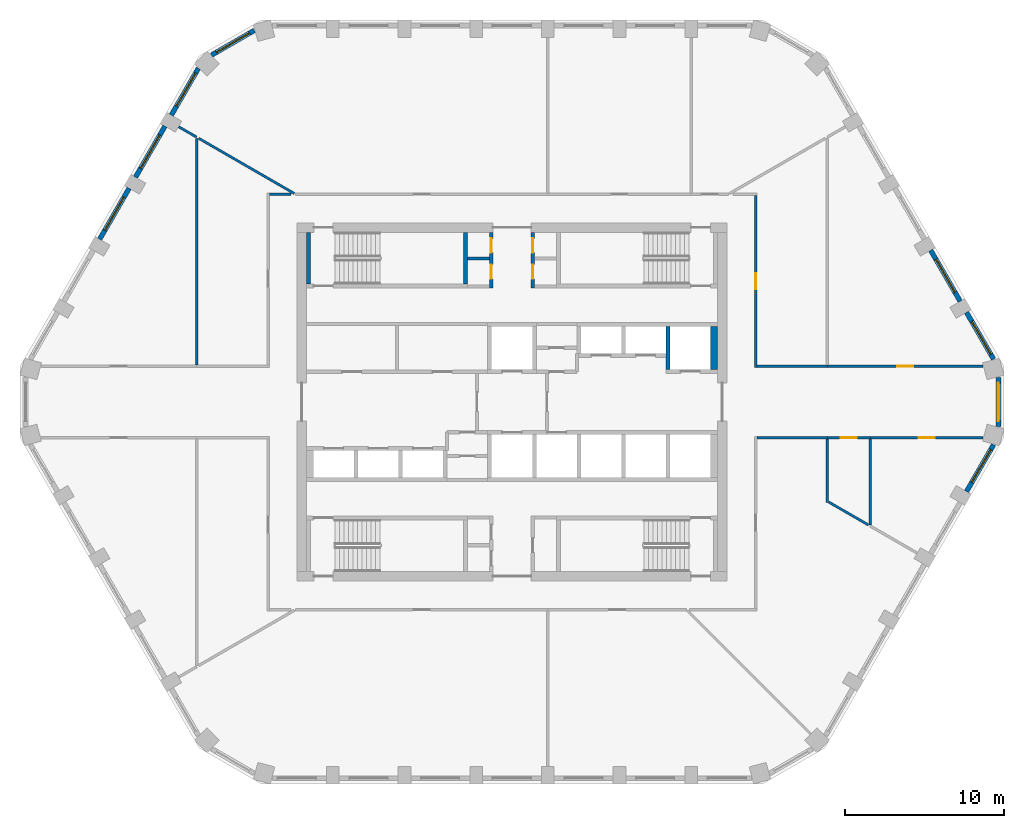
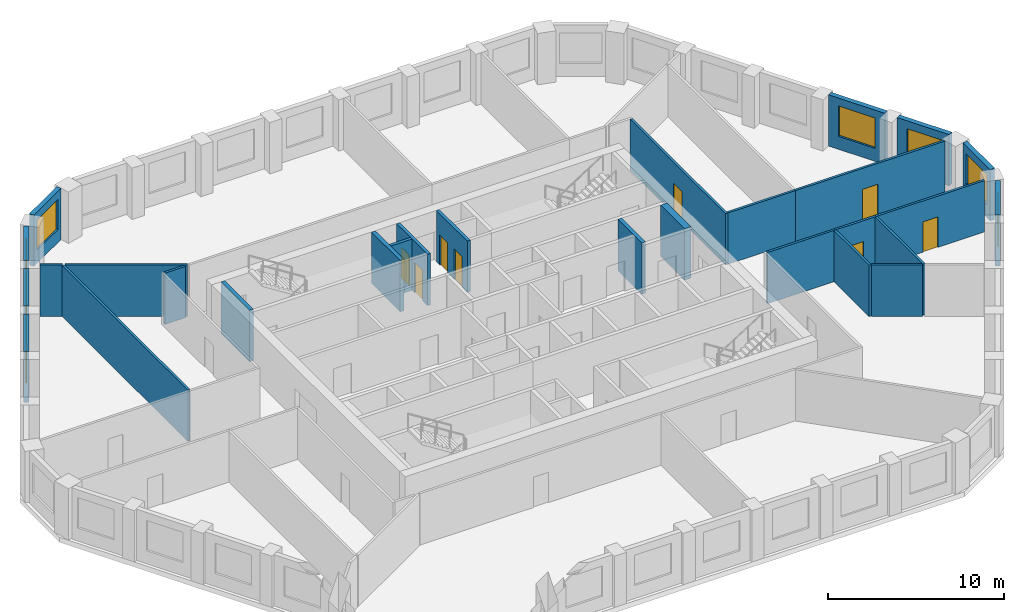
# One storey, part 5 of 8: 28 walls, 8 doors, 8 windows, 16 openings.
"""IFC4 building model written with IfcOpenShell, lengths in metres."""

from ifc_helpers import new_model, si_unit, direction, frame, frame_2d, origin, place, context, subcontext, project, spatial, polyline, rectangle, outline, extrude, material, layer, layer_set, type_object, element, fill, save


model = new_model("IFC4")

# Units and contexts
model_context = context("Model", 3, precision=1e-05, world=origin(), true_north=direction((0.0, 1.0)))
body_context = subcontext(model_context, "Body", "Model", "MODEL_VIEW")
ifc_project = project(units=[si_unit("LENGTHUNIT", "METRE"), si_unit("AREAUNIT", "SQUARE_METRE"), si_unit("VOLUMEUNIT", "CUBIC_METRE"), si_unit("PLANEANGLEUNIT", "RADIAN"), si_unit("MASSUNIT", "GRAM", prefix="KILO")], contexts=[model_context])

# Site, building, storey
site_placement = place(None, origin())
site = spatial("IfcSite", under=ifc_project, at=site_placement, CompositionType="ELEMENT")
building_placement = place(site_placement, origin())
building = spatial("IfcBuilding", under=site, at=building_placement, Name="Dhurran Vertical Campus", CompositionType="ELEMENT")
storey_placement = place(building_placement, frame((0.0, 0.0, 219.0)))
storey = spatial("IfcBuildingStorey", under=building, at=storey_placement, Name="L54", CompositionType="ELEMENT", Elevation=219.0)

# Wall, opening, window
ifc_material_1 = material(Name="Precast concrete C50/60", Category="concrete")
ifc_layer_1 = layer(ifc_material_1, 0.300048828125)
ifc_layer_set_1 = layer_set([ifc_layer_1], Name="Precast concrete C50/60")
wall_type_1 = type_object("IfcWallType", Name="Precast spandrel wall 300", PredefinedType="SOLIDWALL", material=ifc_layer_set_1)
wall_1_placement = place(storey_placement, frame((28.544189453125, -5.625244140625, 0.0), z_axis=(0.0, 0.0, 1.0), x_axis=(0.500012868213, 0.866017974191, 0.0)))
wall_1 = element("IfcWall", 1, at=wall_1_placement, inside=storey, type_object=wall_type_1, Name="EW1 L54.12", PredefinedType="SOLIDWALL", context=body_context, shape_type="SweptSolid", body=[
    extrude(rectangle(XDim=3.39599609375, YDim=0.300048828125, at=frame_2d((1.697998046875, 0.0))), origin(), (0.0, 0.0, 1.0), 3.550048828125),
])
opening_1_placement = place(wall_1_placement, frame((0.6494140625, 0.0, 0.89990234375)))
opening_1 = element("IfcOpeningElement", 2, at=opening_1_placement, cuts=wall_1, Name="Opening WT1", PredefinedType="OPENING", context=body_context, shape_type="SweptSolid", body=[
    extrude(rectangle(XDim=2.39990234375, YDim=2.10009765625, at=frame_2d((1.199951171875, 1.050048828125))), frame((0.0, 0.159912109375, 0.0), z_axis=(0.0, -1.0, 0.0), x_axis=(1.0, 0.0, 0.0)), (0.0, 0.0, 1.0), 0.320068359375),
])
ifc_material_2 = material(Name="Aluminium frame with solar-control glass", Category="aluminium")
window_type = type_object("IfcWindowType", Name="Punched window 2400 x 2100", PartitioningType="SINGLE_PANEL", PredefinedType="WINDOW", material=ifc_material_2)
window_1_placement = place(opening_1_placement, origin())
window_1 = element("IfcWindow", 3, at=window_1_placement, inside=storey, type_object=window_type, Name="WT1 L54.12", OverallHeight=2.10009765625, OverallWidth=2.39990234375, PartitioningType="SINGLE_PANEL", PredefinedType="WINDOW", context=body_context, shape_type="SweptSolid", body=[
    extrude(rectangle(XDim=2.39990234375, YDim=2.10009765625, at=frame_2d((1.199951171875, 1.050048828125))), frame((0.0, 0.030029296875, 0.0), z_axis=(0.0, -1.0, 0.0), x_axis=(1.0, 0.0, 0.0)), (0.0, 0.0, 1.0), 0.06005859375),
])
fill(opening_1, window_1)

wall_2_placement = place(storey_placement, frame((30.547119140625, -1.54638671875, 0.0), z_axis=(0.0, 0.0, 1.0), x_axis=(0.0, 1.0, 0.0)))
wall_2 = element("IfcWall", 4, at=wall_2_placement, inside=storey, type_object=wall_type_1, Name="EW1 L54.13", PredefinedType="SOLIDWALL", context=body_context, shape_type="SweptSolid", body=[
    extrude(rectangle(XDim=3.0927734375, YDim=0.300048828125, at=frame_2d((1.54638671875, 0.0))), origin(), (0.0, 0.0, 1.0), 3.550048828125),
])
opening_2_placement = place(wall_2_placement, frame((0.34619140625, 0.0, 0.89990234375)))
opening_2 = element("IfcOpeningElement", 5, at=opening_2_placement, cuts=wall_2, Name="Opening WT1", PredefinedType="OPENING", context=body_context, shape_type="SweptSolid", body=[
    extrude(rectangle(XDim=2.39990234375, YDim=2.10009765625, at=frame_2d((1.199951171875, 1.050048828125))), frame((0.0, 0.159912109375, 0.0), z_axis=(0.0, -1.0, 0.0), x_axis=(1.0, 0.0, 0.0)), (0.0, 0.0, 1.0), 0.320068359375),
])
window_2_placement = place(opening_2_placement, origin())
window_2 = element("IfcWindow", 6, at=window_2_placement, inside=storey, type_object=window_type, Name="WT1 L54.13", OverallHeight=2.10009765625, OverallWidth=2.39990234375, PartitioningType="SINGLE_PANEL", PredefinedType="WINDOW", context=body_context, shape_type="SweptSolid", body=[
    extrude(rectangle(XDim=2.39990234375, YDim=2.10009765625, at=frame_2d((1.199951171875, 1.050048828125))), frame((0.0, 0.030029296875, 0.0), z_axis=(0.0, -1.0, 0.0), x_axis=(1.0, 0.0, 0.0)), (0.0, 0.0, 1.0), 0.06005859375),
])
fill(opening_2, window_2)

wall_3_placement = place(storey_placement, frame((30.2421875, 2.684326171875, 0.0), z_axis=(0.0, 0.0, 1.0), x_axis=(-0.500012868213, 0.866017974191, 0.0)))
wall_3 = element("IfcWall", 7, at=wall_3_placement, inside=storey, type_object=wall_type_1, Name="EW1 L54.14", PredefinedType="SOLIDWALL", context=body_context, shape_type="SweptSolid", body=[
    extrude(rectangle(XDim=3.39599609375, YDim=0.300048828125, at=frame_2d((1.697998046875, 0.0))), origin(), (0.0, 0.0, 1.0), 3.550048828125),
])
opening_3_placement = place(wall_3_placement, frame((0.346435546875, 0.0, 0.89990234375)))
opening_3 = element("IfcOpeningElement", 8, at=opening_3_placement, cuts=wall_3, Name="Opening WT1", PredefinedType="OPENING", context=body_context, shape_type="SweptSolid", body=[
    extrude(rectangle(XDim=2.39990234375, YDim=2.10009765625, at=frame_2d((1.199951171875, 1.050048828125))), frame((0.0, 0.159912109375, 0.0), z_axis=(0.0, -1.0, 0.0), x_axis=(1.0, 0.0, 0.0)), (0.0, 0.0, 1.0), 0.320068359375),
])
window_3_placement = place(opening_3_placement, origin())
window_3 = element("IfcWindow", 9, at=window_3_placement, inside=storey, type_object=window_type, Name="WT1 L54.14", OverallHeight=2.10009765625, OverallWidth=2.39990234375, PartitioningType="SINGLE_PANEL", PredefinedType="WINDOW", context=body_context, shape_type="SweptSolid", body=[
    extrude(rectangle(XDim=2.39990234375, YDim=2.10009765625, at=frame_2d((1.199951171875, 1.050048828125))), frame((0.0, 0.030029296875, 0.0), z_axis=(0.0, -1.0, 0.0), x_axis=(1.0, 0.0, 0.0)), (0.0, 0.0, 1.0), 0.06005859375),
])
fill(opening_3, window_3)

wall_4_placement = place(storey_placement, frame((28.143798828125, 6.319091796875, 0.0), z_axis=(0.0, 0.0, 1.0), x_axis=(-0.500029062817, 0.866008623709, 0.0)))
wall_4 = element("IfcWall", 10, at=wall_4_placement, inside=storey, type_object=wall_type_1, Name="EW1 L54.15", PredefinedType="SOLIDWALL", context=body_context, shape_type="SweptSolid", body=[
    extrude(rectangle(XDim=3.698974609375, YDim=0.300048828125, at=frame_2d((1.849609375, 0.0))), origin(), (0.0, 0.0, 1.0), 3.550048828125),
])
opening_4_placement = place(wall_4_placement, frame((0.6494140625, 0.0, 0.89990234375)))
opening_4 = element("IfcOpeningElement", 11, at=opening_4_placement, cuts=wall_4, Name="Opening WT1", PredefinedType="OPENING", context=body_context, shape_type="SweptSolid", body=[
    extrude(rectangle(XDim=2.39990234375, YDim=2.10009765625, at=frame_2d((1.199951171875, 1.050048828125))), frame((0.0, 0.159912109375, 0.0), z_axis=(0.0, -1.0, 0.0), x_axis=(1.0, 0.0, 0.0)), (0.0, 0.0, 1.0), 0.320068359375),
])
window_4_placement = place(opening_4_placement, origin())
window_4 = element("IfcWindow", 12, at=window_4_placement, inside=storey, type_object=window_type, Name="WT1 L54.15", OverallHeight=2.10009765625, OverallWidth=2.39990234375, PartitioningType="SINGLE_PANEL", PredefinedType="WINDOW", context=body_context, shape_type="SweptSolid", body=[
    extrude(rectangle(XDim=2.39990234375, YDim=2.10009765625, at=frame_2d((1.199951171875, 1.050048828125))), frame((0.0, 0.030029296875, 0.0), z_axis=(0.0, -1.0, 0.0), x_axis=(1.0, 0.0, 0.0)), (0.0, 0.0, 1.0), 0.06005859375),
])
fill(opening_4, window_4)

wall_5_placement = place(storey_placement, frame((-16.184326171875, 23.330810546875, 0.0), z_axis=(0.0, 0.0, 1.0), x_axis=(-0.865994975416, -0.500052699777, 0.0)))
wall_5 = element("IfcWall", 13, at=wall_5_placement, inside=storey, type_object=wall_type_1, Name="EW1 L54.27", PredefinedType="SOLIDWALL", context=body_context, shape_type="SweptSolid", body=[
    extrude(rectangle(XDim=3.093017578125, YDim=0.300048828125, at=frame_2d((1.54638671875, 0.0))), origin(), (0.0, 0.0, 1.0), 3.550048828125),
])
opening_5_placement = place(wall_5_placement, frame((0.346435546875, 0.0, 0.89990234375)))
opening_5 = element("IfcOpeningElement", 14, at=opening_5_placement, cuts=wall_5, Name="Opening WT1", PredefinedType="OPENING", context=body_context, shape_type="SweptSolid", body=[
    extrude(rectangle(XDim=2.39990234375, YDim=2.10009765625, at=frame_2d((1.199951171875, 1.050048828125))), frame((0.0, 0.159912109375, 0.0), z_axis=(0.0, -1.0, 0.0), x_axis=(1.0, 0.0, 0.0)), (0.0, 0.0, 1.0), 0.320068359375),
])
window_5_placement = place(opening_5_placement, origin())
window_5 = element("IfcWindow", 15, at=window_5_placement, inside=storey, type_object=window_type, Name="WT1 L54.27", OverallHeight=2.10009765625, OverallWidth=2.39990234375, PartitioningType="SINGLE_PANEL", PredefinedType="WINDOW", context=body_context, shape_type="SweptSolid", body=[
    extrude(rectangle(XDim=2.39990234375, YDim=2.10009765625, at=frame_2d((1.199951171875, 1.050048828125))), frame((0.0, 0.030029296875, 0.0), z_axis=(0.0, -1.0, 0.0), x_axis=(1.0, 0.0, 0.0)), (0.0, 0.0, 1.0), 0.06005859375),
])
fill(opening_5, window_5)

wall_6_placement = place(storey_placement, frame((-19.69580078125, 20.951171875, 0.0), z_axis=(0.0, 0.0, 1.0), x_axis=(-0.500012868213, -0.866017974191, 0.0)))
wall_6 = element("IfcWall", 16, at=wall_6_placement, inside=storey, type_object=wall_type_1, Name="EW1 L54.28", PredefinedType="SOLIDWALL", context=body_context, shape_type="SweptSolid", body=[
    extrude(rectangle(XDim=3.39599609375, YDim=0.300048828125, at=frame_2d((1.697998046875, 0.0))), origin(), (0.0, 0.0, 1.0), 3.550048828125),
])
opening_6_placement = place(wall_6_placement, frame((0.346435546875, 0.0, 0.89990234375)))
opening_6 = element("IfcOpeningElement", 17, at=opening_6_placement, cuts=wall_6, Name="Opening WT1", PredefinedType="OPENING", context=body_context, shape_type="SweptSolid", body=[
    extrude(rectangle(XDim=2.39990234375, YDim=2.10009765625, at=frame_2d((1.199951171875, 1.050048828125))), frame((0.0, 0.159912109375, 0.0), z_axis=(0.0, -1.0, 0.0), x_axis=(1.0, 0.0, 0.0)), (0.0, 0.0, 1.0), 0.320068359375),
])
window_6_placement = place(opening_6_placement, origin())
window_6 = element("IfcWindow", 18, at=window_6_placement, inside=storey, type_object=window_type, Name="WT1 L54.28", OverallHeight=2.10009765625, OverallWidth=2.39990234375, PartitioningType="SINGLE_PANEL", PredefinedType="WINDOW", context=body_context, shape_type="SweptSolid", body=[
    extrude(rectangle(XDim=2.39990234375, YDim=2.10009765625, at=frame_2d((1.199951171875, 1.050048828125))), frame((0.0, 0.030029296875, 0.0), z_axis=(0.0, -1.0, 0.0), x_axis=(1.0, 0.0, 0.0)), (0.0, 0.0, 1.0), 0.06005859375),
])
fill(opening_6, window_6)

wall_7_placement = place(storey_placement, frame((-21.794189453125, 17.316650390625, 0.0), z_axis=(0.0, 0.0, 1.0), x_axis=(-0.500029062817, -0.866008623709, 0.0)))
wall_7 = element("IfcWall", 19, at=wall_7_placement, inside=storey, type_object=wall_type_1, Name="EW1 L54.29", PredefinedType="SOLIDWALL", context=body_context, shape_type="SweptSolid", body=[
    extrude(rectangle(XDim=3.698974609375, YDim=0.300048828125, at=frame_2d((1.849609375, 0.0))), origin(), (0.0, 0.0, 1.0), 3.550048828125),
])
opening_7_placement = place(wall_7_placement, frame((0.6494140625, 0.0, 0.89990234375)))
opening_7 = element("IfcOpeningElement", 20, at=opening_7_placement, cuts=wall_7, Name="Opening WT1", PredefinedType="OPENING", context=body_context, shape_type="SweptSolid", body=[
    extrude(rectangle(XDim=2.39990234375, YDim=2.10009765625, at=frame_2d((1.199951171875, 1.050048828125))), frame((0.0, 0.159912109375, 0.0), z_axis=(0.0, -1.0, 0.0), x_axis=(1.0, 0.0, 0.0)), (0.0, 0.0, 1.0), 0.320068359375),
])
window_7_placement = place(opening_7_placement, origin())
window_7 = element("IfcWindow", 21, at=window_7_placement, inside=storey, type_object=window_type, Name="WT1 L54.29", OverallHeight=2.10009765625, OverallWidth=2.39990234375, PartitioningType="SINGLE_PANEL", PredefinedType="WINDOW", context=body_context, shape_type="SweptSolid", body=[
    extrude(rectangle(XDim=2.39990234375, YDim=2.10009765625, at=frame_2d((1.199951171875, 1.050048828125))), frame((0.0, 0.030029296875, 0.0), z_axis=(0.0, -1.0, 0.0), x_axis=(1.0, 0.0, 0.0)), (0.0, 0.0, 1.0), 0.06005859375),
])
fill(opening_7, window_7)

wall_8_placement = place(storey_placement, frame((-24.044189453125, 13.41943359375, 0.0), z_axis=(0.0, 0.0, 1.0), x_axis=(-0.500029062817, -0.866008623709, 0.0)))
wall_8 = element("IfcWall", 22, at=wall_8_placement, inside=storey, type_object=wall_type_1, Name="EW1 L54.30", PredefinedType="SOLIDWALL", context=body_context, shape_type="SweptSolid", body=[
    extrude(rectangle(XDim=3.698974609375, YDim=0.300048828125, at=frame_2d((1.849609375, 0.0))), origin(), (0.0, 0.0, 1.0), 3.550048828125),
])
opening_8_placement = place(wall_8_placement, frame((0.6494140625, 0.0, 0.89990234375)))
opening_8 = element("IfcOpeningElement", 23, at=opening_8_placement, cuts=wall_8, Name="Opening WT1", PredefinedType="OPENING", context=body_context, shape_type="SweptSolid", body=[
    extrude(rectangle(XDim=2.39990234375, YDim=2.10009765625, at=frame_2d((1.199951171875, 1.050048828125))), frame((0.0, 0.159912109375, 0.0), z_axis=(0.0, -1.0, 0.0), x_axis=(1.0, 0.0, 0.0)), (0.0, 0.0, 1.0), 0.320068359375),
])
window_8_placement = place(opening_8_placement, origin())
window_8 = element("IfcWindow", 24, at=window_8_placement, inside=storey, type_object=window_type, Name="WT1 L54.30", OverallHeight=2.10009765625, OverallWidth=2.39990234375, PartitioningType="SINGLE_PANEL", PredefinedType="WINDOW", context=body_context, shape_type="SweptSolid", body=[
    extrude(rectangle(XDim=2.39990234375, YDim=2.10009765625, at=frame_2d((1.199951171875, 1.050048828125))), frame((0.0, 0.030029296875, 0.0), z_axis=(0.0, -1.0, 0.0), x_axis=(1.0, 0.0, 0.0)), (0.0, 0.0, 1.0), 0.06005859375),
])
fill(opening_8, window_8)

# Wall
ifc_material_3 = material(Name="Fire-rated masonry blockwork", Category="masonry")
ifc_layer_2 = layer(ifc_material_3, 0.199951171875)
ifc_layer_set_2 = layer_set([ifc_layer_2], Name="Fire-rated masonry blockwork")
wall_type_2 = type_object("IfcWallType", Name="co-FIRE-PARTITION-200", PredefinedType="PARTITIONING", material=ifc_layer_set_2)
wall_9_placement = place(storey_placement, frame((-2.800048828125, 9.0, 0.0), z_axis=(0.0, 0.0, 1.0), x_axis=(1.0, 0.0, 0.0)))
element("IfcWall", 25, at=wall_9_placement, inside=storey, type_object=wall_type_2, Name="Core partition sl-NW-cut0 L54", PredefinedType="PARTITIONING", context=body_context, shape_type="SweptSolid", body=[
    extrude(rectangle(XDim=1.400146484375, YDim=0.199951171875, at=frame_2d((0.7001953125, 0.0))), origin(), (0.0, 0.0, 1.0), 3.550048828125),
])

# Wall, openings, doors
wall_10_placement = place(storey_placement, frame((-1.300048828125, 7.14990234375, 0.0), z_axis=(0.0, 0.0, 1.0), x_axis=(0.0, 1.0, 0.0)))
wall_10 = element("IfcWall", 26, at=wall_10_placement, inside=storey, type_object=wall_type_2, Name="Core partition vest-NW L54", PredefinedType="PARTITIONING", context=body_context, shape_type="SweptSolid", body=[
    extrude(rectangle(XDim=3.5, YDim=0.199951171875, at=frame_2d((1.75, 0.0))), origin(), (0.0, 0.0, 1.0), 3.550048828125),
])
opening_9_placement = place(wall_10_placement, frame((0.574951171875, 0.0, 0.0)))
opening_9 = element("IfcOpeningElement", 27, at=opening_9_placement, cuts=wall_10, Name="Opening T16-C4", PredefinedType="OPENING", context=body_context, shape_type="SweptSolid", body=[
    extrude(rectangle(XDim=0.89990234375, YDim=2.10009765625, at=frame_2d((0.449951171875, 1.050048828125))), frame((0.0, 0.10986328125, 0.0), z_axis=(0.0, -1.0, 0.0), x_axis=(1.0, 0.0, 0.0)), (0.0, 0.0, 1.0), 0.219970703125),
])
opening_10_placement = place(wall_10_placement, frame((2.22509765625, 0.0, 0.0)))
opening_10 = element("IfcOpeningElement", 28, at=opening_10_placement, cuts=wall_10, Name="Opening T16-C5", PredefinedType="OPENING", context=body_context, shape_type="SweptSolid", body=[
    extrude(rectangle(XDim=0.89990234375, YDim=2.10009765625, at=frame_2d((0.449951171875, 1.050048828125))), frame((0.0, 0.10986328125, 0.0), z_axis=(0.0, -1.0, 0.0), x_axis=(1.0, 0.0, 0.0)), (0.0, 0.0, 1.0), 0.219970703125),
])
ifc_material_4 = material(Name="Fire-rated timber door set", Category="wood")
door_type_1 = type_object("IfcDoorType", Name="co-D-ROOM 900x2100", OperationType="SINGLE_SWING_LEFT", PredefinedType="DOOR", material=ifc_material_4)
door_1_placement = place(opening_9_placement, origin())
door_1 = element("IfcDoor", 29, at=door_1_placement, inside=storey, type_object=door_type_1, Name="Fire equipment store door L54", OperationType="SINGLE_SWING_LEFT", OverallHeight=2.10009765625, OverallWidth=0.89990234375, PredefinedType="DOOR", context=body_context, shape_type="SweptSolid", body=[
    extrude(rectangle(XDim=0.89990234375, YDim=2.10009765625, at=frame_2d((0.449951171875, 1.050048828125))), frame((0.0, 0.02490234375, 0.0), z_axis=(0.0, -1.0, 0.0), x_axis=(1.0, 0.0, 0.0)), (0.0, 0.0, 1.0), 0.050048828125),
])
fill(opening_9, door_1)
door_2_placement = place(opening_10_placement, origin())
door_2 = element("IfcDoor", 30, at=door_2_placement, inside=storey, type_object=door_type_1, Name="Cleaner's store door L54", OperationType="SINGLE_SWING_LEFT", OverallHeight=2.10009765625, OverallWidth=0.89990234375, PredefinedType="DOOR", context=body_context, shape_type="SweptSolid", body=[
    extrude(rectangle(XDim=0.89990234375, YDim=2.10009765625, at=frame_2d((0.449951171875, 1.050048828125))), frame((0.0, 0.02490234375, 0.0), z_axis=(0.0, -1.0, 0.0), x_axis=(1.0, 0.0, 0.0)), (0.0, 0.0, 1.0), 0.050048828125),
])
fill(opening_10, door_2)

wall_11_placement = place(storey_placement, frame((1.300048828125, 7.14990234375, 0.0), z_axis=(0.0, 0.0, 1.0), x_axis=(0.0, 1.0, 0.0)))
wall_11 = element("IfcWall", 31, at=wall_11_placement, inside=storey, type_object=wall_type_2, Name="Core partition vest-NE L54", PredefinedType="PARTITIONING", context=body_context, shape_type="SweptSolid", body=[
    extrude(rectangle(XDim=3.5, YDim=0.199951171875, at=frame_2d((1.75, 0.0))), origin(), (0.0, 0.0, 1.0), 3.550048828125),
])
opening_11_placement = place(wall_11_placement, frame((0.574951171875, 0.0, 0.0)))
opening_11 = element("IfcOpeningElement", 32, at=opening_11_placement, cuts=wall_11, Name="Opening T16-C6", PredefinedType="OPENING", context=body_context, shape_type="SweptSolid", body=[
    extrude(rectangle(XDim=0.89990234375, YDim=2.10009765625, at=frame_2d((0.449951171875, 1.050048828125))), frame((0.0, 0.10986328125, 0.0), z_axis=(0.0, -1.0, 0.0), x_axis=(1.0, 0.0, 0.0)), (0.0, 0.0, 1.0), 0.219970703125),
])
opening_12_placement = place(wall_11_placement, frame((2.22509765625, 0.0, 0.0)))
opening_12 = element("IfcOpeningElement", 33, at=opening_12_placement, cuts=wall_11, Name="Opening T16-C7", PredefinedType="OPENING", context=body_context, shape_type="SweptSolid", body=[
    extrude(rectangle(XDim=0.89990234375, YDim=2.10009765625, at=frame_2d((0.449951171875, 1.050048828125))), frame((0.0, 0.10986328125, 0.0), z_axis=(0.0, -1.0, 0.0), x_axis=(1.0, 0.0, 0.0)), (0.0, 0.0, 1.0), 0.219970703125),
])
door_3_placement = place(opening_11_placement, origin())
door_3 = element("IfcDoor", 34, at=door_3_placement, inside=storey, type_object=door_type_1, Name="Housekeeping store door L54", OperationType="SINGLE_SWING_LEFT", OverallHeight=2.10009765625, OverallWidth=0.89990234375, PredefinedType="DOOR", context=body_context, shape_type="SweptSolid", body=[
    extrude(rectangle(XDim=0.89990234375, YDim=2.10009765625, at=frame_2d((0.449951171875, 1.050048828125))), frame((0.0, 0.02490234375, 0.0), z_axis=(0.0, -1.0, 0.0), x_axis=(1.0, 0.0, 0.0)), (0.0, 0.0, 1.0), 0.050048828125),
])
fill(opening_11, door_3)
door_4_placement = place(opening_12_placement, origin())
door_4 = element("IfcDoor", 35, at=door_4_placement, inside=storey, type_object=door_type_1, Name="Waste room door L54", OperationType="SINGLE_SWING_LEFT", OverallHeight=2.10009765625, OverallWidth=0.89990234375, PredefinedType="DOOR", context=body_context, shape_type="SweptSolid", body=[
    extrude(rectangle(XDim=0.89990234375, YDim=2.10009765625, at=frame_2d((0.449951171875, 1.050048828125))), frame((0.0, 0.02490234375, 0.0), z_axis=(0.0, -1.0, 0.0), x_axis=(1.0, 0.0, 0.0)), (0.0, 0.0, 1.0), 0.050048828125),
])
fill(opening_12, door_4)

# Walls
ifc_material_5 = material(Name="Concrete C50/60", Category="concrete")
ifc_layer_3 = layer(ifc_material_5, 0.25)
ifc_layer_set_3 = layer_set([ifc_layer_3], Name="Concrete C50/60")
wall_type_3 = type_object("IfcWallType", Name="co-SHAFT-MASS-250", PredefinedType="SHEAR", material=ifc_layer_set_3)
wall_12_placement = place(storey_placement, origin())
element("IfcWall", 36, at=wall_12_placement, inside=storey, type_object=wall_type_3, Name="Lift shaft wall N L54 5", PredefinedType="SHEAR", context=body_context, shape_type="SweptSolid", body=[
    extrude(outline(polyline([(9.675048828125, 2.050048828125), (9.925048828125, 2.050048828125), (9.925048828125, 4.75), (9.675048828125, 4.75), (9.675048828125, 2.050048828125)])), origin(), (0.0, 0.0, 1.0), 3.550048828125),
])
wall_13_placement = place(storey_placement, origin())
element("IfcWall", 37, at=wall_13_placement, inside=storey, type_object=wall_type_3, Name="Lift shaft wall N L54 6", PredefinedType="SHEAR", context=body_context, shape_type="SweptSolid", body=[
    extrude(outline(polyline([(12.47509765625, 2.050048828125), (12.89990234375, 2.050048828125), (12.89990234375, 4.75), (12.47509765625, 4.75), (12.47509765625, 2.050048828125)])), origin(), (0.0, 0.0, 1.0), 3.550048828125),
])
ifc_material_6 = material(Name="Concrete C40/50", Category="concrete")
ifc_layer_4 = layer(ifc_material_6, 0.25)
ifc_layer_set_4 = layer_set([ifc_layer_4], Name="Concrete C40/50")
wall_type_4 = type_object("IfcWallType", Name="co-STAIR-WALL-250", PredefinedType="SHEAR", material=ifc_layer_set_4)
for number, where, z_axis, x_axis, name in (
    (38, (-12.77490234375, 7.39990234375, 0.0), (0.0, 0.0, 1.0), (0.0, 1.0, 0.0), "Stair ST1 enclosure wall L54"),
    (39, (-2.925048828125, 7.39990234375, 0.0), (0.0, 0.0, 1.0), (0.0, 1.0, 0.0), "Stair ST1 enclosure wall L54"),
):
    element("IfcWall", number, at=place(storey_placement, frame(where, z_axis=z_axis, x_axis=x_axis)), inside=storey, type_object=wall_type_4, Name=name, PredefinedType="SHEAR", context=body_context, shape_type="SweptSolid", body=[
        extrude(rectangle(XDim=3.25, YDim=0.25, at=frame_2d((1.625, 0.0))), origin(), (0.0, 0.0, 1.0), 3.550048828125),
    ])
ifc_material_7 = material(Name="Gypsum board corridor wall on steel studs", Category="steel")
ifc_layer_5 = layer(ifc_material_7, 0.14990234375)
ifc_layer_set_5 = layer_set([ifc_layer_5], Name="Gypsum board corridor wall on steel studs")
wall_type_5 = type_object("IfcWallType", Name="fl-CW-150 corridor wall", PredefinedType="PARTITIONING", material=ifc_layer_set_5)
wall_14_placement = place(storey_placement, frame((-13.8779296875, 13.050048828125, 0.0), z_axis=(0.0, 0.0, 1.0), x_axis=(-1.0, 0.0, 0.0)))
element("IfcWall", 40, at=wall_14_placement, inside=storey, type_object=wall_type_5, Name="Partition 54-14", PredefinedType="PARTITIONING", context=body_context, shape_type="SweptSolid", body=[
    extrude(rectangle(XDim=1.34716796875, YDim=0.14990234375, at=frame_2d((0.673583984375, 0.0))), origin(), (0.0, 0.0, 1.0), 3.550048828125),
])
wall_15_placement = place(storey_placement, frame((19.800048828125, -2.25, 0.0), z_axis=(0.0, 0.0, 1.0), x_axis=(-1.0, 0.0, 0.0)))
element("IfcWall", 41, at=wall_15_placement, inside=storey, type_object=wall_type_5, Name="Partition 54-28", PredefinedType="PARTITIONING", context=body_context, shape_type="SweptSolid", body=[
    extrude(rectangle(XDim=4.425048828125, YDim=0.14990234375, at=frame_2d((2.21240234375, 0.0))), origin(), (0.0, 0.0, 1.0), 3.550048828125),
])

# Wall, opening, door
wall_16_placement = place(storey_placement, frame((15.300048828125, 2.175048828125, 0.0), z_axis=(0.0, 0.0, 1.0), x_axis=(0.0, 1.0, 0.0)))
wall_16 = element("IfcWall", 42, at=wall_16_placement, inside=storey, type_object=wall_type_5, Name="Partition 54-29", PredefinedType="PARTITIONING", context=body_context, shape_type="SweptSolid", body=[
    extrude(rectangle(XDim=10.800048828125, YDim=0.14990234375, at=frame_2d((5.39990234375, 0.0))), origin(), (0.0, 0.0, 1.0), 3.550048828125),
])
opening_13_placement = place(wall_16_placement, frame((4.89990234375, 0.0, 0.0)))
opening_13 = element("IfcOpeningElement", 43, at=opening_13_placement, cuts=wall_16, Name="Opening T16.10", PredefinedType="OPENING", context=body_context, shape_type="SweptSolid", body=[
    extrude(rectangle(XDim=1.0, YDim=2.10009765625, at=frame_2d((0.5, 1.050048828125))), frame((0.0, 0.0849609375, 0.0), z_axis=(0.0, -1.0, 0.0), x_axis=(1.0, 0.0, 0.0)), (0.0, 0.0, 1.0), 0.169921875),
])
ifc_material_8 = material(Name="Solid-core timber door set, fire-rated", Category="wood")
door_type_2 = type_object("IfcDoorType", Name="fl-D-1000x2100", OperationType="SINGLE_SWING_LEFT", PredefinedType="DOOR", material=ifc_material_8)
door_5_placement = place(opening_13_placement, origin())
door_5 = element("IfcDoor", 44, at=door_5_placement, inside=storey, type_object=door_type_2, Name="Door 54.10", OperationType="SINGLE_SWING_RIGHT", OverallHeight=2.10009765625, OverallWidth=1.0, PredefinedType="DOOR", context=body_context, shape_type="SweptSolid", body=[
    extrude(rectangle(XDim=1.0, YDim=2.10009765625, at=frame_2d((0.5, 1.050048828125))), frame((0.0, 0.02490234375, 0.0), z_axis=(0.0, -1.0, 0.0), x_axis=(1.0, 0.0, 0.0)), (0.0, 0.0, 1.0), 0.050048828125),
])
fill(opening_13, door_5)

# Wall
wall_17_placement = place(storey_placement, frame((15.375, 2.25, 0.0), z_axis=(0.0, 0.0, 1.0), x_axis=(1.0, 0.0, 0.0)))
element("IfcWall", 45, at=wall_17_placement, inside=storey, type_object=wall_type_5, Name="Partition 54-30", PredefinedType="PARTITIONING", context=body_context, shape_type="SweptSolid", body=[
    extrude(rectangle(XDim=4.425048828125, YDim=0.14990234375, at=frame_2d((2.21240234375, 0.0))), origin(), (0.0, 0.0, 1.0), 3.550048828125),
])

# Wall, opening, door
wall_18_placement = place(storey_placement, frame((22.5, -2.25, 0.0), z_axis=(0.0, 0.0, 1.0), x_axis=(-1.0, 0.0, 0.0)))
wall_18 = element("IfcWall", 46, at=wall_18_placement, inside=storey, type_object=wall_type_5, Name="Partition 54-33", PredefinedType="PARTITIONING", context=body_context, shape_type="SweptSolid", body=[
    extrude(rectangle(XDim=2.699951171875, YDim=0.14990234375, at=frame_2d((1.35009765625, 0.0))), origin(), (0.0, 0.0, 1.0), 3.550048828125),
])
opening_14_placement = place(wall_18_placement, frame((0.85009765625, 0.0, 0.0)))
opening_14 = element("IfcOpeningElement", 47, at=opening_14_placement, cuts=wall_18, Name="Opening T16.12", PredefinedType="OPENING", context=body_context, shape_type="SweptSolid", body=[
    extrude(rectangle(XDim=1.0, YDim=2.10009765625, at=frame_2d((0.5, 1.050048828125))), frame((0.0, 0.0849609375, 0.0), z_axis=(0.0, -1.0, 0.0), x_axis=(1.0, 0.0, 0.0)), (0.0, 0.0, 1.0), 0.169921875),
])
door_6_placement = place(opening_14_placement, origin())
door_6 = element("IfcDoor", 48, at=door_6_placement, inside=storey, type_object=door_type_2, Name="Door 54.12", OperationType="SINGLE_SWING_LEFT", OverallHeight=2.10009765625, OverallWidth=1.0, PredefinedType="DOOR", context=body_context, shape_type="SweptSolid", body=[
    extrude(rectangle(XDim=1.0, YDim=2.10009765625, at=frame_2d((0.5, 1.050048828125))), frame((0.0, 0.02490234375, 0.0), z_axis=(0.0, -1.0, 0.0), x_axis=(1.0, 0.0, 0.0)), (0.0, 0.0, 1.0), 0.050048828125),
])
fill(opening_14, door_6)

wall_19_placement = place(storey_placement, frame((19.800048828125, 2.25, 0.0), z_axis=(0.0, 0.0, 1.0), x_axis=(1.0, 0.0, 0.0)))
wall_19 = element("IfcWall", 49, at=wall_19_placement, inside=storey, type_object=wall_type_5, Name="Partition 54-35", PredefinedType="PARTITIONING", context=body_context, shape_type="SweptSolid", body=[
    extrude(rectangle(XDim=9.784912109375, YDim=0.14990234375, at=frame_2d((4.892578125, 0.0))), origin(), (0.0, 0.0, 1.0), 3.550048828125),
])
opening_15_placement = place(wall_19_placement, frame((4.392578125, 0.0, 0.0)))
opening_15 = element("IfcOpeningElement", 50, at=opening_15_placement, cuts=wall_19, Name="Opening T16.13", PredefinedType="OPENING", context=body_context, shape_type="SweptSolid", body=[
    extrude(rectangle(XDim=1.0, YDim=2.10009765625, at=frame_2d((0.5, 1.050048828125))), frame((0.0, 0.0849609375, 0.0), z_axis=(0.0, -1.0, 0.0), x_axis=(1.0, 0.0, 0.0)), (0.0, 0.0, 1.0), 0.169921875),
])
door_7_placement = place(opening_15_placement, origin())
door_7 = element("IfcDoor", 51, at=door_7_placement, inside=storey, type_object=door_type_2, Name="Door 54.13", OperationType="SINGLE_SWING_RIGHT", OverallHeight=2.10009765625, OverallWidth=1.0, PredefinedType="DOOR", context=body_context, shape_type="SweptSolid", body=[
    extrude(rectangle(XDim=1.0, YDim=2.10009765625, at=frame_2d((0.5, 1.050048828125))), frame((0.0, 0.02490234375, 0.0), z_axis=(0.0, -1.0, 0.0), x_axis=(1.0, 0.0, 0.0)), (0.0, 0.0, 1.0), 0.050048828125),
])
fill(opening_15, door_7)

wall_20_placement = place(storey_placement, frame((29.5849609375, -2.25, 0.0), z_axis=(0.0, 0.0, 1.0), x_axis=(-1.0, 0.0, 0.0)))
wall_20 = element("IfcWall", 52, at=wall_20_placement, inside=storey, type_object=wall_type_5, Name="Partition 54-39", PredefinedType="PARTITIONING", context=body_context, shape_type="SweptSolid", body=[
    extrude(rectangle(XDim=7.0849609375, YDim=0.14990234375, at=frame_2d((3.54248046875, 0.0))), origin(), (0.0, 0.0, 1.0), 3.550048828125),
])
opening_16_placement = place(wall_20_placement, frame((3.04248046875, 0.0, 0.0)))
opening_16 = element("IfcOpeningElement", 53, at=opening_16_placement, cuts=wall_20, Name="Opening T16.14", PredefinedType="OPENING", context=body_context, shape_type="SweptSolid", body=[
    extrude(rectangle(XDim=1.0, YDim=2.10009765625, at=frame_2d((0.5, 1.050048828125))), frame((0.0, 0.0849609375, 0.0), z_axis=(0.0, -1.0, 0.0), x_axis=(1.0, 0.0, 0.0)), (0.0, 0.0, 1.0), 0.169921875),
])
door_8_placement = place(opening_16_placement, origin())
door_8 = element("IfcDoor", 54, at=door_8_placement, inside=storey, type_object=door_type_2, Name="Door 54.14", OperationType="SINGLE_SWING_LEFT", OverallHeight=2.10009765625, OverallWidth=1.0, PredefinedType="DOOR", context=body_context, shape_type="SweptSolid", body=[
    extrude(rectangle(XDim=1.0, YDim=2.10009765625, at=frame_2d((0.5, 1.050048828125))), frame((0.0, 0.02490234375, 0.0), z_axis=(0.0, -1.0, 0.0), x_axis=(1.0, 0.0, 0.0)), (0.0, 0.0, 1.0), 0.050048828125),
])
fill(opening_16, door_8)

# Walls
ifc_material_9 = material(Name="Gypsum board partition on steel studs", Category="steel")
ifc_layer_6 = layer(ifc_material_9, 0.14990234375)
ifc_layer_set_6 = layer_set([ifc_layer_6], Name="Gypsum board partition on steel studs")
wall_type_6 = type_object("IfcWallType", Name="fl-PW-150 fixed partition", PredefinedType="PARTITIONING", material=ifc_layer_set_6)
wall_21_placement = place(storey_placement, frame((-20.92724609375, 17.2783203125, 0.0), z_axis=(0.0, 0.0, 1.0), x_axis=(0.866157475642, -0.499771175029, 0.0)))
element("IfcWall", 55, at=wall_21_placement, inside=storey, type_object=wall_type_6, Name="Partition 54-04", PredefinedType="PARTITIONING", context=body_context, shape_type="SweptSolid", body=[
    extrude(rectangle(XDim=1.30126953125, YDim=0.14990234375, at=frame_2d((0.650634765625, 0.0))), origin(), (0.0, 0.0, 1.0), 3.550048828125),
])
wall_22_placement = place(storey_placement, frame((-19.800048828125, 16.552978515625, 0.0), z_axis=(0.0, 0.0, 1.0), x_axis=(0.0, -1.0, 0.0)))
element("IfcWall", 56, at=wall_22_placement, inside=storey, type_object=wall_type_6, Name="Partition 54-08", PredefinedType="PARTITIONING", context=body_context, shape_type="SweptSolid", body=[
    extrude(rectangle(XDim=14.22802734375, YDim=0.14990234375, at=frame_2d((7.114013671875, 0.0))), origin(), (0.0, 0.0, 1.0), 3.550048828125),
])
wall_23_placement = place(storey_placement, frame((-19.6875, 16.56298828125, 0.0), z_axis=(0.0, 0.0, 1.0), x_axis=(0.866012448988, -0.500022437694, 0.0)))
element("IfcWall", 57, at=wall_23_placement, inside=storey, type_object=wall_type_6, Name="Partition 54-10", PredefinedType="PARTITIONING", context=body_context, shape_type="SweptSolid", body=[
    extrude(rectangle(XDim=6.950927734375, YDim=0.14990234375, at=frame_2d((3.4755859375, 0.0))), origin(), (0.0, 0.0, 1.0), 3.550048828125),
])
wall_24_placement = place(storey_placement, frame((19.800048828125, -2.324951171875, 0.0), z_axis=(0.0, 0.0, 1.0), x_axis=(0.0, -1.0, 0.0)))
element("IfcWall", 58, at=wall_24_placement, inside=storey, type_object=wall_type_6, Name="Partition 54-31", PredefinedType="PARTITIONING", context=body_context, shape_type="SweptSolid", body=[
    extrude(rectangle(XDim=3.985107421875, YDim=0.14990234375, at=frame_2d((1.99267578125, 0.0))), origin(), (0.0, 0.0, 1.0), 3.550048828125),
])
wall_25_placement = place(storey_placement, frame((19.88671875, -6.284912109375, 0.0), z_axis=(0.0, 0.0, 1.0), x_axis=(0.865981426562, -0.500076163049, 0.0)))
element("IfcWall", 59, at=wall_25_placement, inside=storey, type_object=wall_type_6, Name="Partition 54-32", PredefinedType="PARTITIONING", context=body_context, shape_type="SweptSolid", body=[
    extrude(rectangle(XDim=2.8876953125, YDim=0.14990234375, at=frame_2d((1.44384765625, 0.0))), origin(), (0.0, 0.0, 1.0), 3.550048828125),
])
wall_26_placement = place(storey_placement, frame((22.5, -2.324951171875, 0.0), z_axis=(0.0, 0.0, 1.0), x_axis=(0.0, -1.0, 0.0)))
element("IfcWall", 60, at=wall_26_placement, inside=storey, type_object=wall_type_6, Name="Partition 54-37", PredefinedType="PARTITIONING", context=body_context, shape_type="SweptSolid", body=[
    extrude(rectangle(XDim=5.39404296875, YDim=0.14990234375, at=frame_2d((2.697021484375, 0.0))), origin(), (0.0, 0.0, 1.0), 3.550048828125),
])

save(model, "model.ifc")
